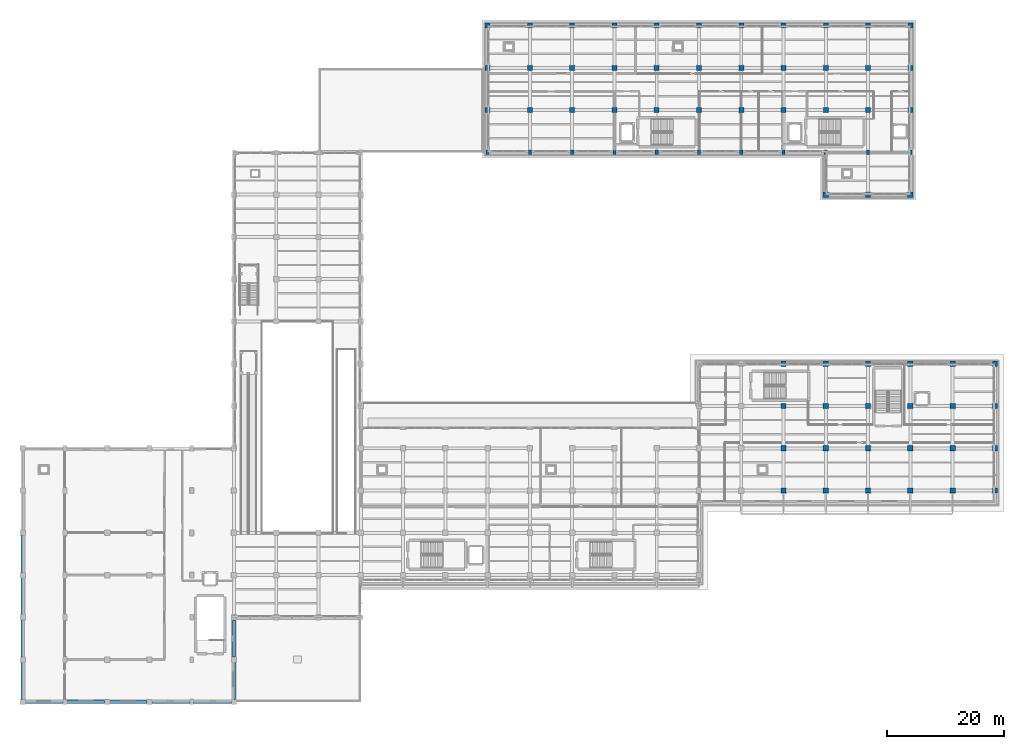
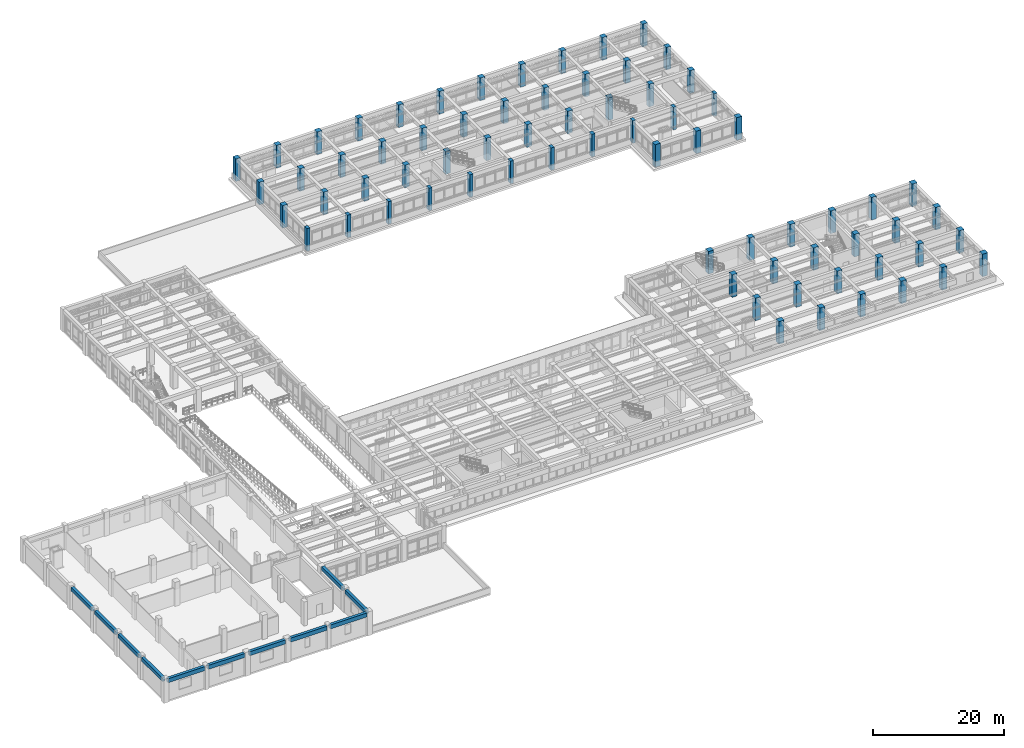
# One storey, part 3 of 69: 71 columns, 11 beams.
"""IFC4 building model written with IfcOpenShell, lengths in metres."""

from ifc_helpers import new_model, si_unit, direction, frame, origin, origin_2d, place, context, subcontext, project, spatial, rectangle, extrude, material, material_profile, profile_set, type_object, element, save


model = new_model("IFC4")

# Units and contexts
model_context = context("Model", 3, precision=1e-05, world=origin(), true_north=direction((0.0, 1.0)))
body_context = subcontext(model_context, "Body", "Model", "MODEL_VIEW")
ifc_project = project(units=[si_unit("LENGTHUNIT", "METRE"), si_unit("AREAUNIT", "SQUARE_METRE"), si_unit("VOLUMEUNIT", "CUBIC_METRE"), si_unit("PLANEANGLEUNIT", "RADIAN"), si_unit("MASSUNIT", "GRAM", prefix="KILO")], contexts=[model_context])

# Site, building, storey
site_placement = place(None, origin())
site = spatial("IfcSite", under=ifc_project, at=site_placement, CompositionType="ELEMENT")
building_placement = place(site_placement, origin())
building = spatial("IfcBuilding", under=site, at=building_placement, Name="Solenvale Faculty of Natural Sciences", CompositionType="ELEMENT")
storey_placement = place(building_placement, frame((0.0, 0.0, 4.5)))
storey = spatial("IfcBuildingStorey", under=building, at=storey_placement, Name="L01", CompositionType="ELEMENT", Elevation=4.5)

# Columns
ifc_material_1 = material(Name="Concrete 50 MPa", Category="concrete")
ifc_material_profile_1 = material_profile(ifc_material_1, rectangle(XDim=0.550048828125, YDim=0.800048828125, at=origin_2d()), Name="RC-COL-550x800")
ifc_profile_set_1 = profile_set([ifc_material_profile_1], Name="Concrete 50 MPa")
column_type_1 = type_object("IfcColumnType", Name="COL-RC-550x800", PredefinedType="COLUMN", material=ifc_profile_set_1)
for number, where, z_axis, x_axis, name in (
    (1, (79.199951171875, 93.60009765625, 0.0), (0.0, 0.0, 1.0), (1.0, 0.0, 0.0), "L01 Column (79.2, 93.6)"),
    (2, (86.39990234375, 93.60009765625, 0.0), (0.0, 0.0, 1.0), (1.0, 0.0, 0.0), "L01 Column (86.4, 93.6)"),
    (3, (93.60009765625, 93.60009765625, 0.0), (0.0, 0.0, 1.0), (1.0, 0.0, 0.0), "L01 Column (93.6, 93.6)"),
    (4, (100.800048828125, 93.60009765625, 0.0), (0.0, 0.0, 1.0), (1.0, 0.0, 0.0), "L01 Column (100.8, 93.6)"),
    (5, (108.0, 93.60009765625, 0.0), (0.0, 0.0, 1.0), (1.0, 0.0, 0.0), "L01 Column (108.0, 93.6)"),
    (6, (115.199951171875, 93.60009765625, 0.0), (0.0, 0.0, 1.0), (1.0, 0.0, 0.0), "L01 Column (115.2, 93.6)"),
    (7, (122.39990234375, 93.60009765625, 0.0), (0.0, 0.0, 1.0), (1.0, 0.0, 0.0), "L01 Column (122.4, 93.6)"),
    (8, (129.60009765625, 93.60009765625, 0.0), (0.0, 0.0, 1.0), (1.0, 0.0, 0.0), "L01 Column (129.6, 93.6)"),
    (9, (136.800048828125, 93.60009765625, 0.0), (0.0, 0.0, 1.0), (1.0, 0.0, 0.0), "L01 Column (136.8, 93.6)"),
    (10, (144.0, 93.60009765625, 0.0), (0.0, 0.0, 1.0), (1.0, 0.0, 0.0), "L01 Column (144.0, 93.6)"),
    (11, (151.199951171875, 93.60009765625, 0.0), (0.0, 0.0, 1.0), (1.0, 0.0, 0.0), "L01 Column (151.2, 93.6)"),
):
    element("IfcColumn", number, at=place(storey_placement, frame(where, z_axis=z_axis, x_axis=x_axis)), inside=storey, type_object=column_type_1, Name=name, PredefinedType="COLUMN", context=body_context, shape_type="SweptSolid", body=[
        extrude(rectangle(XDim=0.550048828125, YDim=0.800048828125, at=origin_2d()), origin(), (0.0, 0.0, 1.0), 4.219970703125),
    ])
ifc_material_profile_2 = material_profile(ifc_material_1, rectangle(XDim=0.85009765625, YDim=0.85009765625, at=origin_2d()), Name="RC-COL-850x850")
ifc_profile_set_2 = profile_set([ifc_material_profile_2], Name="Concrete 50 MPa")
column_type_2 = type_object("IfcColumnType", Name="COL-RC-850", PredefinedType="COLUMN", material=ifc_profile_set_2)
for number, where, z_axis, x_axis, name in (
    (12, (79.199951171875, 100.800048828125, 0.0), (0.0, 0.0, 1.0), (1.0, 0.0, 0.0), "L01 Column (79.2, 100.8)"),
    (13, (79.199951171875, 108.0, 0.0), (0.0, 0.0, 1.0), (1.0, 0.0, 0.0), "L01 Column (79.2, 108.0)"),
    (14, (79.199951171875, 115.199951171875, 0.0), (0.0, 0.0, 1.0), (1.0, 0.0, 0.0), "L01 Column (79.2, 115.2)"),
    (15, (86.39990234375, 100.800048828125, 0.0), (0.0, 0.0, 1.0), (1.0, 0.0, 0.0), "L01 Column (86.4, 100.8)"),
    (16, (86.39990234375, 108.0, 0.0), (0.0, 0.0, 1.0), (1.0, 0.0, 0.0), "L01 Column (86.4, 108.0)"),
    (17, (86.39990234375, 115.199951171875, 0.0), (0.0, 0.0, 1.0), (1.0, 0.0, 0.0), "L01 Column (86.4, 115.2)"),
    (18, (93.60009765625, 100.800048828125, 0.0), (0.0, 0.0, 1.0), (1.0, 0.0, 0.0), "L01 Column (93.6, 100.8)"),
    (19, (93.60009765625, 108.0, 0.0), (0.0, 0.0, 1.0), (1.0, 0.0, 0.0), "L01 Column (93.6, 108.0)"),
    (20, (93.60009765625, 115.199951171875, 0.0), (0.0, 0.0, 1.0), (1.0, 0.0, 0.0), "L01 Column (93.6, 115.2)"),
    (21, (100.800048828125, 100.800048828125, 0.0), (0.0, 0.0, 1.0), (1.0, 0.0, 0.0), "L01 Column (100.8, 100.8)"),
    (22, (100.800048828125, 108.0, 0.0), (0.0, 0.0, 1.0), (1.0, 0.0, 0.0), "L01 Column (100.8, 108.0)"),
    (23, (100.800048828125, 115.199951171875, 0.0), (0.0, 0.0, 1.0), (1.0, 0.0, 0.0), "L01 Column (100.8, 115.2)"),
    (24, (108.0, 100.800048828125, 0.0), (0.0, 0.0, 1.0), (1.0, 0.0, 0.0), "L01 Column (108.0, 100.8)"),
    (25, (108.0, 108.0, 0.0), (0.0, 0.0, 1.0), (1.0, 0.0, 0.0), "L01 Column (108.0, 108.0)"),
    (26, (108.0, 115.199951171875, 0.0), (0.0, 0.0, 1.0), (1.0, 0.0, 0.0), "L01 Column (108.0, 115.2)"),
    (27, (115.199951171875, 100.800048828125, 0.0), (0.0, 0.0, 1.0), (1.0, 0.0, 0.0), "L01 Column (115.2, 100.8)"),
    (28, (115.199951171875, 108.0, 0.0), (0.0, 0.0, 1.0), (1.0, 0.0, 0.0), "L01 Column (115.2, 108.0)"),
    (29, (115.199951171875, 115.199951171875, 0.0), (0.0, 0.0, 1.0), (1.0, 0.0, 0.0), "L01 Column (115.2, 115.2)"),
    (30, (122.39990234375, 100.800048828125, 0.0), (0.0, 0.0, 1.0), (1.0, 0.0, 0.0), "L01 Column (122.4, 100.8)"),
    (31, (122.39990234375, 108.0, 0.0), (0.0, 0.0, 1.0), (1.0, 0.0, 0.0), "L01 Column (122.4, 108.0)"),
    (32, (122.39990234375, 115.199951171875, 0.0), (0.0, 0.0, 1.0), (1.0, 0.0, 0.0), "L01 Column (122.4, 115.2)"),
    (33, (129.60009765625, 100.800048828125, 0.0), (0.0, 0.0, 1.0), (1.0, 0.0, 0.0), "L01 Column (129.6, 100.8)"),
    (34, (129.60009765625, 108.0, 0.0), (0.0, 0.0, 1.0), (1.0, 0.0, 0.0), "L01 Column (129.6, 108.0)"),
    (35, (129.60009765625, 115.199951171875, 0.0), (0.0, 0.0, 1.0), (1.0, 0.0, 0.0), "L01 Column (129.6, 115.2)"),
    (36, (136.800048828125, 100.800048828125, 0.0), (0.0, 0.0, 1.0), (1.0, 0.0, 0.0), "L01 Column (136.8, 100.8)"),
    (37, (136.800048828125, 108.0, 0.0), (0.0, 0.0, 1.0), (1.0, 0.0, 0.0), "L01 Column (136.8, 108.0)"),
    (38, (136.800048828125, 115.199951171875, 0.0), (0.0, 0.0, 1.0), (1.0, 0.0, 0.0), "L01 Column (136.8, 115.2)"),
    (39, (144.0, 100.800048828125, 0.0), (0.0, 0.0, 1.0), (1.0, 0.0, 0.0), "L01 Column (144.0, 100.8)"),
    (40, (144.0, 108.0, 0.0), (0.0, 0.0, 1.0), (1.0, 0.0, 0.0), "L01 Column (144.0, 108.0)"),
    (41, (144.0, 115.199951171875, 0.0), (0.0, 0.0, 1.0), (1.0, 0.0, 0.0), "L01 Column (144.0, 115.2)"),
    (42, (151.199951171875, 100.800048828125, 0.0), (0.0, 0.0, 1.0), (1.0, 0.0, 0.0), "L01 Column (151.2, 100.8)"),
    (43, (151.199951171875, 108.0, 0.0), (0.0, 0.0, 1.0), (1.0, 0.0, 0.0), "L01 Column (151.2, 108.0)"),
    (44, (151.199951171875, 115.199951171875, 0.0), (0.0, 0.0, 1.0), (1.0, 0.0, 0.0), "L01 Column (151.2, 115.2)"),
):
    element("IfcColumn", number, at=place(storey_placement, frame(where, z_axis=z_axis, x_axis=x_axis)), inside=storey, type_object=column_type_2, Name=name, PredefinedType="COLUMN", context=body_context, shape_type="SweptSolid", body=[
        extrude(rectangle(XDim=0.85009765625, YDim=0.85009765625, at=origin_2d()), origin(), (0.0, 0.0, 1.0), 4.219970703125),
    ])
ifc_material_profile_3 = material_profile(ifc_material_1, rectangle(XDim=0.89990234375, YDim=0.89990234375, at=origin_2d()), Name="RC-COL-900x900")
ifc_profile_set_3 = profile_set([ifc_material_profile_3], Name="Concrete 50 MPa")
column_type_3 = type_object("IfcColumnType", Name="COL-RC-900", PredefinedType="COLUMN", material=ifc_profile_set_3)
for number, where, z_axis, x_axis, name in (
    (45, (129.60009765625, 36.0, 0.0), (0.0, 0.0, 1.0), (1.0, 0.0, 0.0), "L01 Column (129.6, 36.0)"),
    (46, (129.60009765625, 43.199951171875, 0.0), (0.0, 0.0, 1.0), (1.0, 0.0, 0.0), "L01 Column (129.6, 43.2)"),
    (47, (129.60009765625, 50.39990234375, 0.0), (0.0, 0.0, 1.0), (1.0, 0.0, 0.0), "L01 Column (129.6, 50.4)"),
    (48, (129.60009765625, 57.60009765625, 0.0), (0.0, 0.0, 1.0), (1.0, 0.0, 0.0), "L01 Column (129.6, 57.6)"),
    (49, (136.800048828125, 36.0, 0.0), (0.0, 0.0, 1.0), (1.0, 0.0, 0.0), "L01 Column (136.8, 36.0)"),
    (50, (136.800048828125, 43.199951171875, 0.0), (0.0, 0.0, 1.0), (1.0, 0.0, 0.0), "L01 Column (136.8, 43.2)"),
    (51, (136.800048828125, 50.39990234375, 0.0), (0.0, 0.0, 1.0), (1.0, 0.0, 0.0), "L01 Column (136.8, 50.4)"),
    (52, (136.800048828125, 57.60009765625, 0.0), (0.0, 0.0, 1.0), (1.0, 0.0, 0.0), "L01 Column (136.8, 57.6)"),
    (53, (136.800048828125, 86.39990234375, 0.0), (0.0, 0.0, 1.0), (1.0, 0.0, 0.0), "L01 Column (136.8, 86.4)"),
    (54, (144.0, 36.0, 0.0), (0.0, 0.0, 1.0), (1.0, 0.0, 0.0), "L01 Column (144.0, 36.0)"),
    (55, (144.0, 43.199951171875, 0.0), (0.0, 0.0, 1.0), (1.0, 0.0, 0.0), "L01 Column (144.0, 43.2)"),
    (56, (144.0, 50.39990234375, 0.0), (0.0, 0.0, 1.0), (1.0, 0.0, 0.0), "L01 Column (144.0, 50.4)"),
    (57, (144.0, 57.60009765625, 0.0), (0.0, 0.0, 1.0), (1.0, 0.0, 0.0), "L01 Column (144.0, 57.6)"),
    (58, (144.0, 86.39990234375, 0.0), (0.0, 0.0, 1.0), (1.0, 0.0, 0.0), "L01 Column (144.0, 86.4)"),
    (59, (151.199951171875, 36.0, 0.0), (0.0, 0.0, 1.0), (1.0, 0.0, 0.0), "L01 Column (151.2, 36.0)"),
    (60, (151.199951171875, 43.199951171875, 0.0), (0.0, 0.0, 1.0), (1.0, 0.0, 0.0), "L01 Column (151.2, 43.2)"),
    (61, (151.199951171875, 50.39990234375, 0.0), (0.0, 0.0, 1.0), (1.0, 0.0, 0.0), "L01 Column (151.2, 50.4)"),
    (62, (151.199951171875, 57.60009765625, 0.0), (0.0, 0.0, 1.0), (1.0, 0.0, 0.0), "L01 Column (151.2, 57.6)"),
    (63, (151.199951171875, 86.39990234375, 0.0), (0.0, 0.0, 1.0), (1.0, 0.0, 0.0), "L01 Column (151.2, 86.4)"),
    (64, (158.39990234375, 36.0, 0.0), (0.0, 0.0, 1.0), (1.0, 0.0, 0.0), "L01 Column (158.4, 36.0)"),
    (65, (158.39990234375, 43.199951171875, 0.0), (0.0, 0.0, 1.0), (1.0, 0.0, 0.0), "L01 Column (158.4, 43.2)"),
    (66, (158.39990234375, 50.39990234375, 0.0), (0.0, 0.0, 1.0), (1.0, 0.0, 0.0), "L01 Column (158.4, 50.4)"),
    (67, (158.39990234375, 57.60009765625, 0.0), (0.0, 0.0, 1.0), (1.0, 0.0, 0.0), "L01 Column (158.4, 57.6)"),
    (68, (165.60009765625, 36.0, 0.0), (0.0, 0.0, 1.0), (1.0, 0.0, 0.0), "L01 Column (165.6, 36.0)"),
    (69, (165.60009765625, 43.199951171875, 0.0), (0.0, 0.0, 1.0), (1.0, 0.0, 0.0), "L01 Column (165.6, 43.2)"),
    (70, (165.60009765625, 50.39990234375, 0.0), (0.0, 0.0, 1.0), (1.0, 0.0, 0.0), "L01 Column (165.6, 50.4)"),
    (71, (165.60009765625, 57.60009765625, 0.0), (0.0, 0.0, 1.0), (1.0, 0.0, 0.0), "L01 Column (165.6, 57.6)"),
):
    element("IfcColumn", number, at=place(storey_placement, frame(where, z_axis=z_axis, x_axis=x_axis)), inside=storey, type_object=column_type_3, Name=name, PredefinedType="COLUMN", context=body_context, shape_type="SweptSolid", body=[
        extrude(rectangle(XDim=0.89990234375, YDim=0.89990234375, at=origin_2d()), origin(), (0.0, 0.0, 1.0), 4.219970703125),
    ])

# Beams
ifc_material_2 = material(Name="Concrete 40 MPa", Category="concrete")
ifc_material_profile_4 = material_profile(ifc_material_2, rectangle(XDim=0.5, YDim=0.699951171875, at=origin_2d()), Name="RC-BM-500x700")
ifc_profile_set_4 = profile_set([ifc_material_profile_4], Name="Concrete 40 MPa")
beam_type_1 = type_object("IfcBeamType", Name="BM-RC-500x700", PredefinedType="BEAM", material=ifc_profile_set_4)
for number, where, z_axis, x_axis, name in (
    (72, (0.0, 0.429931640625, 3.8701171875), (0.0, 1.0, 0.0), (-1.0, 0.0, 0.0), "L01 Y-Girder X0.0 (0.0..7.2)"),
    (73, (0.0, 7.6298828125, 3.8701171875), (0.0, 1.0, 0.0), (-1.0, 0.0, 0.0), "L01 Y-Girder X0.0 (7.2..14.4)"),
):
    element("IfcBeam", number, at=place(storey_placement, frame(where, z_axis=z_axis, x_axis=x_axis)), inside=storey, type_object=beam_type_1, Name=name, PredefinedType="BEAM", context=body_context, shape_type="SweptSolid", body=[
        extrude(rectangle(XDim=0.5, YDim=0.699951171875, at=origin_2d()), origin(), (0.0, 0.0, 1.0), 6.340087890625),
    ])
beam_1_placement = place(storey_placement, frame((0.0, 14.830078125, 3.8701171875), z_axis=(0.0, 1.0, 0.0), x_axis=(-1.0, 0.0, 0.0)))
element("IfcBeam", 74, at=beam_1_placement, inside=storey, type_object=beam_type_1, Name="L01 Y-Girder X0.0 (14.4..21.6)", PredefinedType="BEAM", context=body_context, shape_type="SweptSolid", body=[
    extrude(rectangle(XDim=0.5, YDim=0.699951171875, at=origin_2d()), origin(), (0.0, 0.0, 1.0), 6.33984375),
])
for number, where, z_axis, x_axis, name in (
    (75, (0.0, 22.030029296875, 3.8701171875), (0.0, 1.0, 0.0), (-1.0, 0.0, 0.0), "L01 Y-Girder X0.0 (21.6..28.8)"),
    (76, (36.0, 0.429931640625, 3.8701171875), (0.0, 1.0, 0.0), (-1.0, 0.0, 0.0), "L01 Y-Girder X36.0 (0.0..7.2)"),
    (77, (36.0, 7.6298828125, 3.8701171875), (0.0, 1.0, 0.0), (-1.0, 0.0, 0.0), "L01 Y-Girder X36.0 (7.2..14.4)"),
):
    element("IfcBeam", number, at=place(storey_placement, frame(where, z_axis=z_axis, x_axis=x_axis)), inside=storey, type_object=beam_type_1, Name=name, PredefinedType="BEAM", context=body_context, shape_type="SweptSolid", body=[
        extrude(rectangle(XDim=0.5, YDim=0.699951171875, at=origin_2d()), origin(), (0.0, 0.0, 1.0), 6.340087890625),
    ])
ifc_material_profile_5 = material_profile(ifc_material_2, rectangle(XDim=0.5, YDim=0.75, at=origin_2d()), Name="RC-BM-500x750")
ifc_profile_set_5 = profile_set([ifc_material_profile_5], Name="Concrete 40 MPa")
beam_type_2 = type_object("IfcBeamType", Name="BM-RC-500x750", PredefinedType="BEAM", material=ifc_profile_set_5)
for number, where, z_axis, x_axis, name in (
    (78, (0.429931640625, 0.0, 3.844970703125), (1.0, 0.0, 0.0), (0.0, 1.0, 0.0), "L01 X-Girder Y0.0 (0.0..7.2)"),
    (79, (7.5048828125, 0.0, 3.844970703125), (1.0, 0.0, 0.0), (0.0, 1.0, 0.0), "L01 X-Girder Y0.0 (7.2..14.4)"),
):
    element("IfcBeam", number, at=place(storey_placement, frame(where, z_axis=z_axis, x_axis=x_axis)), inside=storey, type_object=beam_type_2, Name=name, PredefinedType="BEAM", context=body_context, shape_type="SweptSolid", body=[
        extrude(rectangle(XDim=0.5, YDim=0.75, at=origin_2d()), origin(), (0.0, 0.0, 1.0), 6.465087890625),
    ])
beam_2_placement = place(storey_placement, frame((14.830078125, 0.0, 3.844970703125), z_axis=(1.0, 0.0, 0.0), x_axis=(0.0, 1.0, 0.0)))
element("IfcBeam", 80, at=beam_2_placement, inside=storey, type_object=beam_type_2, Name="L01 X-Girder Y0.0 (14.4..21.6)", PredefinedType="BEAM", context=body_context, shape_type="SweptSolid", body=[
    extrude(rectangle(XDim=0.5, YDim=0.75, at=origin_2d()), origin(), (0.0, 0.0, 1.0), 6.33984375),
])
for number, where, z_axis, x_axis, name in (
    (81, (22.030029296875, 0.0, 3.844970703125), (1.0, 0.0, 0.0), (0.0, 1.0, 0.0), "L01 X-Girder Y0.0 (21.6..28.8)"),
    (82, (29.10498046875, 0.0, 3.844970703125), (1.0, 0.0, 0.0), (0.0, 1.0, 0.0), "L01 X-Girder Y0.0 (28.8..36.0)"),
):
    element("IfcBeam", number, at=place(storey_placement, frame(where, z_axis=z_axis, x_axis=x_axis)), inside=storey, type_object=beam_type_2, Name=name, PredefinedType="BEAM", context=body_context, shape_type="SweptSolid", body=[
        extrude(rectangle(XDim=0.5, YDim=0.75, at=origin_2d()), origin(), (0.0, 0.0, 1.0), 6.465087890625),
    ])

save(model, "model.ifc")
